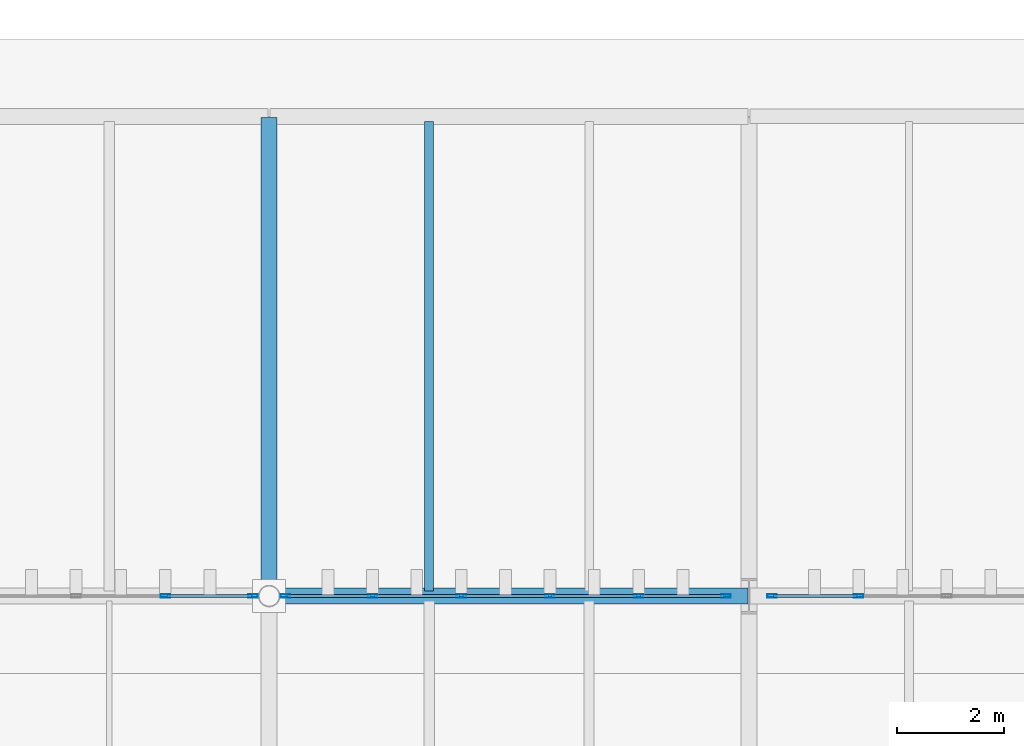
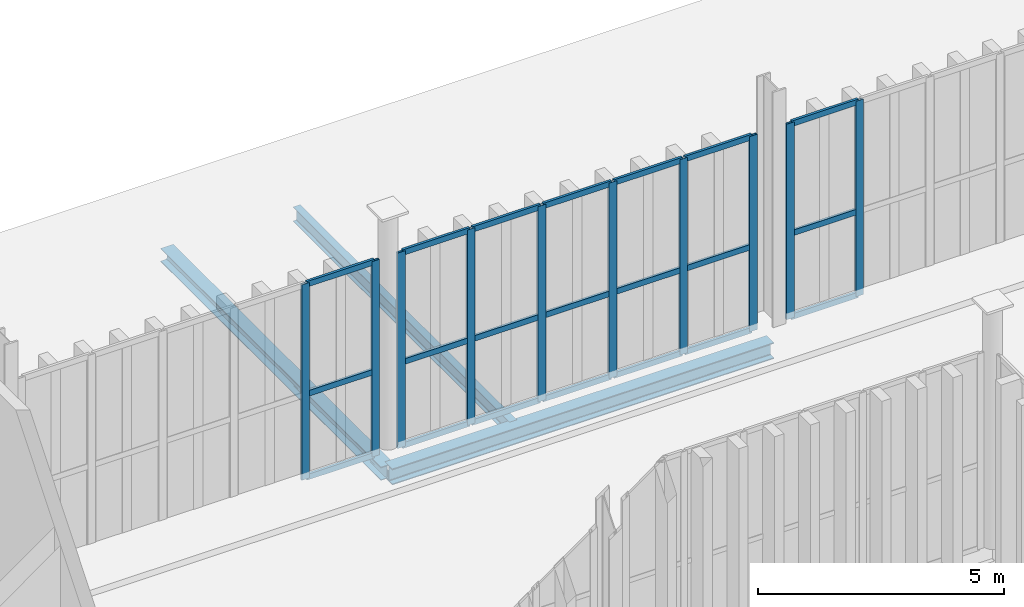
# One storey, part 156 of 237: 31 members, 3 beams, 3 elements without a shape of their own.
"""IFC4 building model written with IfcOpenShell, lengths in metres."""

from ifc_helpers import new_model, si_unit, direction, frame, origin, origin_2d, place, context, subcontext, project, spatial, hollow_rectangle, i_section, extrude, material, layer, layer_set, material_profile, profile_set, type_object, element, aggregate, save


model = new_model("IFC4")

# Units and contexts
model_context = context("Model", 3, precision=1e-05, world=origin(), true_north=direction((0.0, 1.0)))
body_context = subcontext(model_context, "Body", "Model", "MODEL_VIEW")
ifc_project = project(units=[si_unit("LENGTHUNIT", "METRE"), si_unit("AREAUNIT", "SQUARE_METRE"), si_unit("VOLUMEUNIT", "CUBIC_METRE"), si_unit("PLANEANGLEUNIT", "RADIAN"), si_unit("MASSUNIT", "GRAM", prefix="KILO")], contexts=[model_context])

# Site, building, storey
site_placement = place(None, origin())
site = spatial("IfcSite", under=ifc_project, at=site_placement, CompositionType="ELEMENT")
building_placement = place(site_placement, origin())
building = spatial("IfcBuilding", under=site, at=building_placement, Name="Barlavento Convention Centre", CompositionType="ELEMENT")
storey_placement = place(building_placement, frame((0.0, 0.0, 12.0)))
storey = spatial("IfcBuildingStorey", under=building, at=storey_placement, Name="L02", CompositionType="ELEMENT", Elevation=12.0)

# Curtain wall, members
ifc_material_1 = material(Name="Powder-coated aluminium and Low-E glass", Category="aluminium")
ifc_layer = layer(ifc_material_1, 0.195068359375)
ifc_layer_set = layer_set([ifc_layer], Name="ARC-CW-BALL-L02")
curtain_wall_type = type_object("IfcCurtainWallType", Name="ARC-CW-BALL-L02", PredefinedType="NOTDEFINED", material=ifc_layer_set)
curtain_wall_1_placement = place(storey_placement, origin())
curtain_wall_1 = element("IfcCurtainWall", 1, at=curtain_wall_1_placement, inside=storey, type_object=curtain_wall_type, Name="L02 unitised curtain wall CW07", PredefinedType="NOTDEFINED")
ifc_material_2 = material(Name="Powder-coated aluminium", Category="aluminium")
ifc_material_profile_1 = material_profile(ifc_material_2, hollow_rectangle(XDim=0.06005859375, YDim=0.179931640625, WallThickness=0.0048828125, at=origin_2d()), Name="AL-MULL 60x180x5")
ifc_profile_set_1 = profile_set([ifc_material_profile_1], Name="Powder-coated aluminium")
member_type_1 = type_object("IfcMemberType", Name="ARC-CWM-60X180", PredefinedType="MULLION", material=ifc_profile_set_1)
member_1_placement = place(storey_placement, frame((160.052734375, 99.0, 0.0), z_axis=(0.0, 0.0, 1.0), x_axis=(0.0, 1.0, 0.0)))
member_1 = element("IfcMember", 2, at=member_1_placement, type_object=member_type_1, Name="CW07 mullion 5", PredefinedType="MULLION", context=body_context, shape_type="SweptSolid", body=[
    extrude(hollow_rectangle(XDim=0.06005859375, YDim=0.179931640625, WallThickness=0.0048828125, at=origin_2d()), origin(), (0.0, 0.0, 1.0), 4.85009765625),
])
member_2_placement = place(storey_placement, frame((161.69677734375, 99.0, 0.0), z_axis=(0.0, 0.0, 1.0), x_axis=(0.0, 1.0, 0.0)))
member_2 = element("IfcMember", 3, at=member_2_placement, type_object=member_type_1, Name="CW07 mullion 6", PredefinedType="MULLION", context=body_context, shape_type="SweptSolid", body=[
    extrude(hollow_rectangle(XDim=0.06005859375, YDim=0.179931640625, WallThickness=0.0048828125, at=origin_2d()), origin(), (0.0, 0.0, 1.0), 4.85009765625),
])

curtain_wall_2_placement = place(storey_placement, origin())
curtain_wall_2 = element("IfcCurtainWall", 4, at=curtain_wall_2_placement, inside=storey, type_object=curtain_wall_type, Name="L02 unitised curtain wall CW07", PredefinedType="NOTDEFINED")
member_3_placement = place(storey_placement, frame((162.30322265625, 99.0, 0.0), z_axis=(0.0, 0.0, 1.0), x_axis=(0.0, 1.0, 0.0)))
member_3 = element("IfcMember", 5, at=member_3_placement, type_object=member_type_1, Name="CW07 mullion 1", PredefinedType="MULLION", context=body_context, shape_type="SweptSolid", body=[
    extrude(hollow_rectangle(XDim=0.06005859375, YDim=0.179931640625, WallThickness=0.0048828125, at=origin_2d()), origin(), (0.0, 0.0, 1.0), 4.85009765625),
])
member_4_placement = place(storey_placement, frame((163.937744140625, 99.0, 0.0), z_axis=(0.0, 0.0, 1.0), x_axis=(0.0, 1.0, 0.0)))
member_4 = element("IfcMember", 6, at=member_4_placement, type_object=member_type_1, Name="CW07 mullion 2", PredefinedType="MULLION", context=body_context, shape_type="SweptSolid", body=[
    extrude(hollow_rectangle(XDim=0.06005859375, YDim=0.179931640625, WallThickness=0.0048828125, at=origin_2d()), origin(), (0.0, 0.0, 1.0), 4.85009765625),
])
member_5_placement = place(storey_placement, frame((165.602294921875, 99.0, 0.0), z_axis=(0.0, 0.0, 1.0), x_axis=(0.0, 1.0, 0.0)))
member_5 = element("IfcMember", 7, at=member_5_placement, type_object=member_type_1, Name="CW07 mullion 3", PredefinedType="MULLION", context=body_context, shape_type="SweptSolid", body=[
    extrude(hollow_rectangle(XDim=0.06005859375, YDim=0.179931640625, WallThickness=0.0048828125, at=origin_2d()), origin(), (0.0, 0.0, 1.0), 4.85009765625),
])
member_6_placement = place(storey_placement, frame((167.266845703125, 99.0, 0.0), z_axis=(0.0, 0.0, 1.0), x_axis=(0.0, 1.0, 0.0)))
member_6 = element("IfcMember", 8, at=member_6_placement, type_object=member_type_1, Name="CW07 mullion 4", PredefinedType="MULLION", context=body_context, shape_type="SweptSolid", body=[
    extrude(hollow_rectangle(XDim=0.06005859375, YDim=0.179931640625, WallThickness=0.0048828125, at=origin_2d()), origin(), (0.0, 0.0, 1.0), 4.85009765625),
])
member_7_placement = place(storey_placement, frame((168.931396484375, 99.0, 0.0), z_axis=(0.0, 0.0, 1.0), x_axis=(0.0, 1.0, 0.0)))
member_7 = element("IfcMember", 9, at=member_7_placement, type_object=member_type_1, Name="CW07 mullion 5", PredefinedType="MULLION", context=body_context, shape_type="SweptSolid", body=[
    extrude(hollow_rectangle(XDim=0.06005859375, YDim=0.179931640625, WallThickness=0.0048828125, at=origin_2d()), origin(), (0.0, 0.0, 1.0), 4.85009765625),
])
member_8_placement = place(storey_placement, frame((170.56591796875, 99.0, 0.0), z_axis=(0.0, 0.0, 1.0), x_axis=(0.0, 1.0, 0.0)))
member_8 = element("IfcMember", 10, at=member_8_placement, type_object=member_type_1, Name="CW07 mullion 6", PredefinedType="MULLION", context=body_context, shape_type="SweptSolid", body=[
    extrude(hollow_rectangle(XDim=0.06005859375, YDim=0.179931640625, WallThickness=0.0048828125, at=origin_2d()), origin(), (0.0, 0.0, 1.0), 4.85009765625),
])

curtain_wall_3_placement = place(storey_placement, origin())
curtain_wall_3 = element("IfcCurtainWall", 11, at=curtain_wall_3_placement, inside=storey, type_object=curtain_wall_type, Name="L02 unitised curtain wall CW07", PredefinedType="NOTDEFINED")
member_9_placement = place(storey_placement, frame((171.43408203125, 99.0, 0.0), z_axis=(0.0, 0.0, 1.0), x_axis=(0.0, 1.0, 0.0)))
member_9 = element("IfcMember", 12, at=member_9_placement, type_object=member_type_1, Name="CW07 mullion 1", PredefinedType="MULLION", context=body_context, shape_type="SweptSolid", body=[
    extrude(hollow_rectangle(XDim=0.06005859375, YDim=0.179931640625, WallThickness=0.0048828125, at=origin_2d()), origin(), (0.0, 0.0, 1.0), 4.85009765625),
])
member_10_placement = place(storey_placement, frame((173.056884765625, 99.0, 0.0), z_axis=(0.0, 0.0, 1.0), x_axis=(0.0, 1.0, 0.0)))
member_10 = element("IfcMember", 13, at=member_10_placement, type_object=member_type_1, Name="CW07 mullion 2", PredefinedType="MULLION", context=body_context, shape_type="SweptSolid", body=[
    extrude(hollow_rectangle(XDim=0.06005859375, YDim=0.179931640625, WallThickness=0.0048828125, at=origin_2d()), origin(), (0.0, 0.0, 1.0), 4.85009765625),
])

# Member
ifc_material_profile_2 = material_profile(ifc_material_2, hollow_rectangle(XDim=0.06005859375, YDim=0.139892578125, WallThickness=0.00390625, at=origin_2d()), Name="AL-TRAN 60x140x4")
ifc_profile_set_2 = profile_set([ifc_material_profile_2], Name="Powder-coated aluminium")
member_type_2 = type_object("IfcMemberType", Name="ARC-CWT-60X140", PredefinedType="USERDEFINED", material=ifc_profile_set_2)
member_11_placement = place(storey_placement, frame((160.08251953125, 99.0, 0.030029296875), z_axis=(1.0, 0.0, 0.0), x_axis=(0.0, 1.0, 0.0)))
member_11 = element("IfcMember", 14, at=member_11_placement, type_object=member_type_2, Name="CW07 transom 5.1", ObjectType="TRANSOM", PredefinedType="USERDEFINED", context=body_context, shape_type="SweptSolid", body=[
    extrude(hollow_rectangle(XDim=0.06005859375, YDim=0.139892578125, WallThickness=0.00390625, at=origin_2d()), origin(), (0.0, 0.0, 1.0), 1.584228515625),
])

member_12_placement = place(storey_placement, frame((160.08251953125, 99.0, 2.10009765625), z_axis=(1.0, 0.0, 0.0), x_axis=(0.0, 1.0, 0.0)))
member_12 = element("IfcMember", 15, at=member_12_placement, type_object=member_type_2, Name="CW07 transom 5.2", ObjectType="TRANSOM", PredefinedType="USERDEFINED", context=body_context, shape_type="SweptSolid", body=[
    extrude(hollow_rectangle(XDim=0.06005859375, YDim=0.139892578125, WallThickness=0.00390625, at=origin_2d()), origin(), (0.0, 0.0, 1.0), 1.584228515625),
])

member_13_placement = place(storey_placement, frame((160.08251953125, 99.0, 4.820068359375), z_axis=(1.0, 0.0, 0.0), x_axis=(0.0, 1.0, 0.0)))
member_13 = element("IfcMember", 16, at=member_13_placement, type_object=member_type_2, Name="CW07 transom 5.3", ObjectType="TRANSOM", PredefinedType="USERDEFINED", context=body_context, shape_type="SweptSolid", body=[
    extrude(hollow_rectangle(XDim=0.06005859375, YDim=0.139892578125, WallThickness=0.00390625, at=origin_2d()), origin(), (0.0, 0.0, 1.0), 1.584228515625),
])

aggregate(curtain_wall_1, [member_1, member_2, member_11, member_12, member_13])

member_14_placement = place(storey_placement, frame((162.333251953125, 99.0, 0.030029296875), z_axis=(1.0, 0.0, 0.0), x_axis=(0.0, 1.0, 0.0)))
member_14 = element("IfcMember", 17, at=member_14_placement, type_object=member_type_2, Name="CW07 transom 1.1", ObjectType="TRANSOM", PredefinedType="USERDEFINED", context=body_context, shape_type="SweptSolid", body=[
    extrude(hollow_rectangle(XDim=0.06005859375, YDim=0.139892578125, WallThickness=0.00390625, at=origin_2d()), origin(), (0.0, 0.0, 1.0), 1.574462890625),
])

member_15_placement = place(storey_placement, frame((162.333251953125, 99.0, 2.10009765625), z_axis=(1.0, 0.0, 0.0), x_axis=(0.0, 1.0, 0.0)))
member_15 = element("IfcMember", 18, at=member_15_placement, type_object=member_type_2, Name="CW07 transom 1.2", ObjectType="TRANSOM", PredefinedType="USERDEFINED", context=body_context, shape_type="SweptSolid", body=[
    extrude(hollow_rectangle(XDim=0.06005859375, YDim=0.139892578125, WallThickness=0.00390625, at=origin_2d()), origin(), (0.0, 0.0, 1.0), 1.574462890625),
])

member_16_placement = place(storey_placement, frame((162.333251953125, 99.0, 4.820068359375), z_axis=(1.0, 0.0, 0.0), x_axis=(0.0, 1.0, 0.0)))
member_16 = element("IfcMember", 19, at=member_16_placement, type_object=member_type_2, Name="CW07 transom 1.3", ObjectType="TRANSOM", PredefinedType="USERDEFINED", context=body_context, shape_type="SweptSolid", body=[
    extrude(hollow_rectangle(XDim=0.06005859375, YDim=0.139892578125, WallThickness=0.00390625, at=origin_2d()), origin(), (0.0, 0.0, 1.0), 1.574462890625),
])

member_17_placement = place(storey_placement, frame((163.9677734375, 99.0, 0.030029296875), z_axis=(1.0, 0.0, 0.0), x_axis=(0.0, 1.0, 0.0)))
member_17 = element("IfcMember", 20, at=member_17_placement, type_object=member_type_2, Name="CW07 transom 2.1", ObjectType="TRANSOM", PredefinedType="USERDEFINED", context=body_context, shape_type="SweptSolid", body=[
    extrude(hollow_rectangle(XDim=0.06005859375, YDim=0.139892578125, WallThickness=0.00390625, at=origin_2d()), origin(), (0.0, 0.0, 1.0), 1.6044921875),
])

member_18_placement = place(storey_placement, frame((163.9677734375, 99.0, 2.10009765625), z_axis=(1.0, 0.0, 0.0), x_axis=(0.0, 1.0, 0.0)))
member_18 = element("IfcMember", 21, at=member_18_placement, type_object=member_type_2, Name="CW07 transom 2.2", ObjectType="TRANSOM", PredefinedType="USERDEFINED", context=body_context, shape_type="SweptSolid", body=[
    extrude(hollow_rectangle(XDim=0.06005859375, YDim=0.139892578125, WallThickness=0.00390625, at=origin_2d()), origin(), (0.0, 0.0, 1.0), 1.6044921875),
])

member_19_placement = place(storey_placement, frame((163.9677734375, 99.0, 4.820068359375), z_axis=(1.0, 0.0, 0.0), x_axis=(0.0, 1.0, 0.0)))
member_19 = element("IfcMember", 22, at=member_19_placement, type_object=member_type_2, Name="CW07 transom 2.3", ObjectType="TRANSOM", PredefinedType="USERDEFINED", context=body_context, shape_type="SweptSolid", body=[
    extrude(hollow_rectangle(XDim=0.06005859375, YDim=0.139892578125, WallThickness=0.00390625, at=origin_2d()), origin(), (0.0, 0.0, 1.0), 1.6044921875),
])

member_20_placement = place(storey_placement, frame((165.63232421875, 99.0, 0.030029296875), z_axis=(1.0, 0.0, 0.0), x_axis=(0.0, 1.0, 0.0)))
member_20 = element("IfcMember", 23, at=member_20_placement, type_object=member_type_2, Name="CW07 transom 3.1", ObjectType="TRANSOM", PredefinedType="USERDEFINED", context=body_context, shape_type="SweptSolid", body=[
    extrude(hollow_rectangle(XDim=0.06005859375, YDim=0.139892578125, WallThickness=0.00390625, at=origin_2d()), origin(), (0.0, 0.0, 1.0), 1.6044921875),
])

member_21_placement = place(storey_placement, frame((165.63232421875, 99.0, 2.10009765625), z_axis=(1.0, 0.0, 0.0), x_axis=(0.0, 1.0, 0.0)))
member_21 = element("IfcMember", 24, at=member_21_placement, type_object=member_type_2, Name="CW07 transom 3.2", ObjectType="TRANSOM", PredefinedType="USERDEFINED", context=body_context, shape_type="SweptSolid", body=[
    extrude(hollow_rectangle(XDim=0.06005859375, YDim=0.139892578125, WallThickness=0.00390625, at=origin_2d()), origin(), (0.0, 0.0, 1.0), 1.6044921875),
])

member_22_placement = place(storey_placement, frame((165.63232421875, 99.0, 4.820068359375), z_axis=(1.0, 0.0, 0.0), x_axis=(0.0, 1.0, 0.0)))
member_22 = element("IfcMember", 25, at=member_22_placement, type_object=member_type_2, Name="CW07 transom 3.3", ObjectType="TRANSOM", PredefinedType="USERDEFINED", context=body_context, shape_type="SweptSolid", body=[
    extrude(hollow_rectangle(XDim=0.06005859375, YDim=0.139892578125, WallThickness=0.00390625, at=origin_2d()), origin(), (0.0, 0.0, 1.0), 1.6044921875),
])

member_23_placement = place(storey_placement, frame((167.296875, 99.0, 0.030029296875), z_axis=(1.0, 0.0, 0.0), x_axis=(0.0, 1.0, 0.0)))
member_23 = element("IfcMember", 26, at=member_23_placement, type_object=member_type_2, Name="CW07 transom 4.1", ObjectType="TRANSOM", PredefinedType="USERDEFINED", context=body_context, shape_type="SweptSolid", body=[
    extrude(hollow_rectangle(XDim=0.06005859375, YDim=0.139892578125, WallThickness=0.00390625, at=origin_2d()), origin(), (0.0, 0.0, 1.0), 1.6044921875),
])

member_24_placement = place(storey_placement, frame((167.296875, 99.0, 2.10009765625), z_axis=(1.0, 0.0, 0.0), x_axis=(0.0, 1.0, 0.0)))
member_24 = element("IfcMember", 27, at=member_24_placement, type_object=member_type_2, Name="CW07 transom 4.2", ObjectType="TRANSOM", PredefinedType="USERDEFINED", context=body_context, shape_type="SweptSolid", body=[
    extrude(hollow_rectangle(XDim=0.06005859375, YDim=0.139892578125, WallThickness=0.00390625, at=origin_2d()), origin(), (0.0, 0.0, 1.0), 1.6044921875),
])

member_25_placement = place(storey_placement, frame((167.296875, 99.0, 4.820068359375), z_axis=(1.0, 0.0, 0.0), x_axis=(0.0, 1.0, 0.0)))
member_25 = element("IfcMember", 28, at=member_25_placement, type_object=member_type_2, Name="CW07 transom 4.3", ObjectType="TRANSOM", PredefinedType="USERDEFINED", context=body_context, shape_type="SweptSolid", body=[
    extrude(hollow_rectangle(XDim=0.06005859375, YDim=0.139892578125, WallThickness=0.00390625, at=origin_2d()), origin(), (0.0, 0.0, 1.0), 1.6044921875),
])

member_26_placement = place(storey_placement, frame((168.96142578125, 99.0, 0.030029296875), z_axis=(1.0, 0.0, 0.0), x_axis=(0.0, 1.0, 0.0)))
member_26 = element("IfcMember", 29, at=member_26_placement, type_object=member_type_2, Name="CW07 transom 5.1", ObjectType="TRANSOM", PredefinedType="USERDEFINED", context=body_context, shape_type="SweptSolid", body=[
    extrude(hollow_rectangle(XDim=0.06005859375, YDim=0.139892578125, WallThickness=0.00390625, at=origin_2d()), origin(), (0.0, 0.0, 1.0), 1.574462890625),
])

member_27_placement = place(storey_placement, frame((168.96142578125, 99.0, 2.10009765625), z_axis=(1.0, 0.0, 0.0), x_axis=(0.0, 1.0, 0.0)))
member_27 = element("IfcMember", 30, at=member_27_placement, type_object=member_type_2, Name="CW07 transom 5.2", ObjectType="TRANSOM", PredefinedType="USERDEFINED", context=body_context, shape_type="SweptSolid", body=[
    extrude(hollow_rectangle(XDim=0.06005859375, YDim=0.139892578125, WallThickness=0.00390625, at=origin_2d()), origin(), (0.0, 0.0, 1.0), 1.574462890625),
])

member_28_placement = place(storey_placement, frame((168.96142578125, 99.0, 4.820068359375), z_axis=(1.0, 0.0, 0.0), x_axis=(0.0, 1.0, 0.0)))
member_28 = element("IfcMember", 31, at=member_28_placement, type_object=member_type_2, Name="CW07 transom 5.3", ObjectType="TRANSOM", PredefinedType="USERDEFINED", context=body_context, shape_type="SweptSolid", body=[
    extrude(hollow_rectangle(XDim=0.06005859375, YDim=0.139892578125, WallThickness=0.00390625, at=origin_2d()), origin(), (0.0, 0.0, 1.0), 1.574462890625),
])

aggregate(curtain_wall_2, [member_3, member_4, member_5, member_6, member_7, member_8, member_14, member_15, member_16, member_17, member_18, member_19, member_20, member_21, member_22, member_23, member_24, member_25, member_26, member_27, member_28])

member_29_placement = place(storey_placement, frame((171.464111328125, 99.0, 0.030029296875), z_axis=(1.0, 0.0, 0.0), x_axis=(0.0, 1.0, 0.0)))
member_29 = element("IfcMember", 32, at=member_29_placement, type_object=member_type_2, Name="CW07 transom 1.1", ObjectType="TRANSOM", PredefinedType="USERDEFINED", context=body_context, shape_type="SweptSolid", body=[
    extrude(hollow_rectangle(XDim=0.06005859375, YDim=0.139892578125, WallThickness=0.00390625, at=origin_2d()), origin(), (0.0, 0.0, 1.0), 1.562744140625),
])

member_30_placement = place(storey_placement, frame((171.464111328125, 99.0, 2.10009765625), z_axis=(1.0, 0.0, 0.0), x_axis=(0.0, 1.0, 0.0)))
member_30 = element("IfcMember", 33, at=member_30_placement, type_object=member_type_2, Name="CW07 transom 1.2", ObjectType="TRANSOM", PredefinedType="USERDEFINED", context=body_context, shape_type="SweptSolid", body=[
    extrude(hollow_rectangle(XDim=0.06005859375, YDim=0.139892578125, WallThickness=0.00390625, at=origin_2d()), origin(), (0.0, 0.0, 1.0), 1.562744140625),
])

member_31_placement = place(storey_placement, frame((171.464111328125, 99.0, 4.820068359375), z_axis=(1.0, 0.0, 0.0), x_axis=(0.0, 1.0, 0.0)))
member_31 = element("IfcMember", 34, at=member_31_placement, type_object=member_type_2, Name="CW07 transom 1.3", ObjectType="TRANSOM", PredefinedType="USERDEFINED", context=body_context, shape_type="SweptSolid", body=[
    extrude(hollow_rectangle(XDim=0.06005859375, YDim=0.139892578125, WallThickness=0.00390625, at=origin_2d()), origin(), (0.0, 0.0, 1.0), 1.562744140625),
])

aggregate(curtain_wall_3, [member_9, member_10, member_29, member_30, member_31])

# Beams
ifc_material_3 = material(Name="Steel S355", Category="steel")
ifc_material_profile_3 = material_profile(ifc_material_3, i_section(OverallWidth=0.169921875, OverallDepth=0.360107421875, WebThickness=0.008056640625, FlangeThickness=0.0126953125, FilletRadius=0.01806640625, at=origin_2d()), Name="IPE 360")
ifc_profile_set_3 = profile_set([ifc_material_profile_3], Name="Steel S355")
beam_type_1 = type_object("IfcBeamType", Name="STR-BM-JST-IPE360", PredefinedType="JOIST", material=ifc_profile_set_3)
beam_1_placement = place(storey_placement, frame((165.0, 99.094970703125, -0.544921875), z_axis=(0.0, 1.0, 0.0), x_axis=(-1.0, 0.0, 0.0)))
element("IfcBeam", 35, at=beam_1_placement, inside=storey, type_object=beam_type_1, Name="L02 composite floor joist SJ05", PredefinedType="JOIST", context=body_context, shape_type="SweptSolid", body=[
    extrude(i_section(OverallWidth=0.169921875, OverallDepth=0.360107421875, WebThickness=0.008056640625, FlangeThickness=0.0126953125, FilletRadius=0.01806640625, at=origin_2d()), origin(), (0.0, 0.0, 1.0), 8.81005859375),
])
ifc_material_profile_4 = material_profile(ifc_material_3, i_section(OverallWidth=0.300048828125, OverallDepth=0.330078125, WebThickness=0.009521484375, FlangeThickness=0.0166015625, FilletRadius=0.027099609375, at=origin_2d()), Name="HEA 340")
ifc_profile_set_4 = profile_set([ifc_material_profile_4], Name="Steel S355")
beam_type_2 = type_object("IfcBeamType", Name="STR-BM-PRI-HEA340", PredefinedType="BEAM", material=ifc_profile_set_4)
beam_2_placement = place(storey_placement, frame((162.0, 99.02001953125, -0.530029296875), z_axis=(0.0, 1.0, 0.0), x_axis=(-1.0, 0.0, 0.0)))
element("IfcBeam", 36, at=beam_2_placement, inside=storey, type_object=beam_type_2, Name="L02 grid girder BG24", PredefinedType="BEAM", context=body_context, shape_type="SweptSolid", body=[
    extrude(i_section(OverallWidth=0.300048828125, OverallDepth=0.330078125, WebThickness=0.009521484375, FlangeThickness=0.0166015625, FilletRadius=0.027099609375, at=origin_2d()), origin(), (0.0, 0.0, 1.0), 8.9599609375),
])
ifc_material_profile_5 = material_profile(ifc_material_3, i_section(OverallWidth=0.300048828125, OverallDepth=0.39990234375, WebThickness=0.013427734375, FlangeThickness=0.02392578125, FilletRadius=0.027099609375, at=origin_2d()), Name="HEB 400")
ifc_profile_set_5 = profile_set([ifc_material_profile_5], Name="Steel S355")
beam_type_3 = type_object("IfcBeamType", Name="STR-BM-PRI-HEB400", PredefinedType="BEAM", material=ifc_profile_set_5)
beam_3_placement = place(storey_placement, frame((162.02001953125, 99.0, -0.56494140625), z_axis=(1.0, 0.0, 0.0), x_axis=(0.0, 1.0, 0.0)))
element("IfcBeam", 37, at=beam_3_placement, inside=storey, type_object=beam_type_3, Name="L02 primary girder BG11", PredefinedType="BEAM", context=body_context, shape_type="SweptSolid", body=[
    extrude(i_section(OverallWidth=0.300048828125, OverallDepth=0.39990234375, WebThickness=0.013427734375, FlangeThickness=0.02392578125, FilletRadius=0.027099609375, at=origin_2d()), origin(), (0.0, 0.0, 1.0), 8.9599609375),
])

save(model, "model.ifc")
